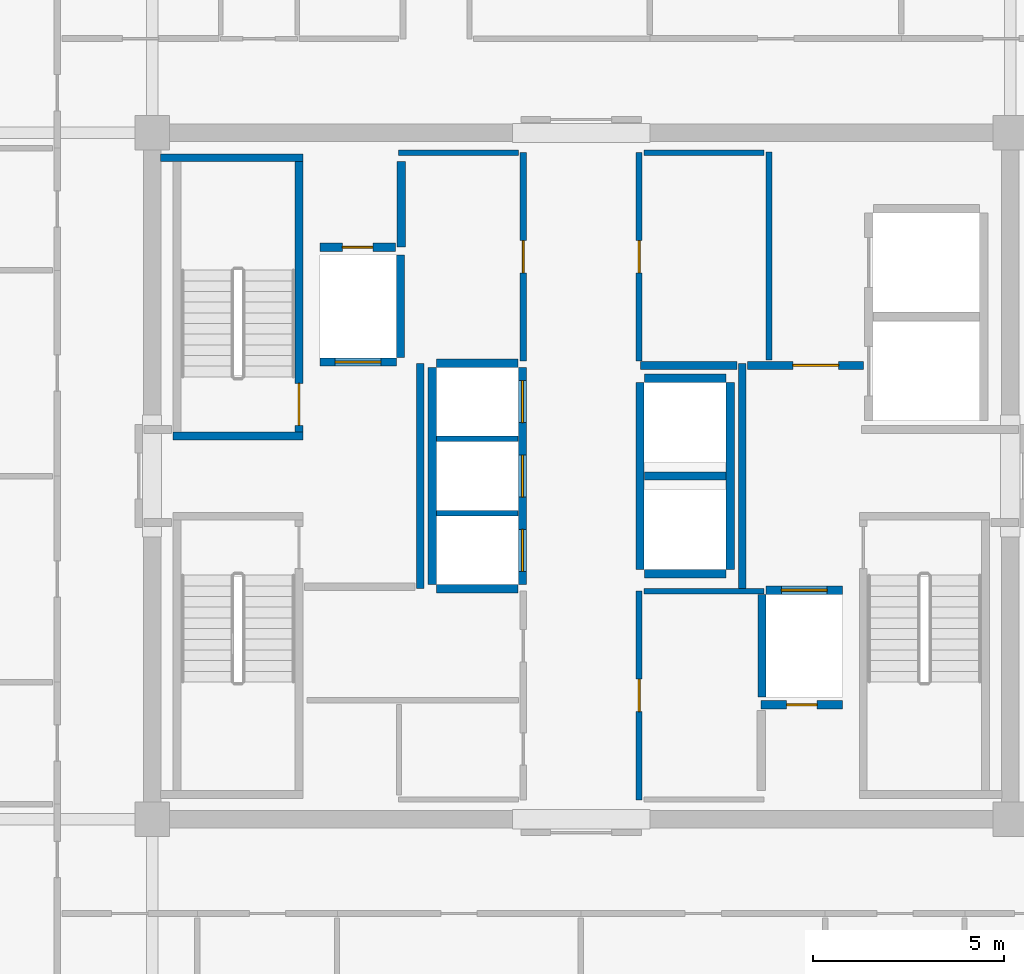
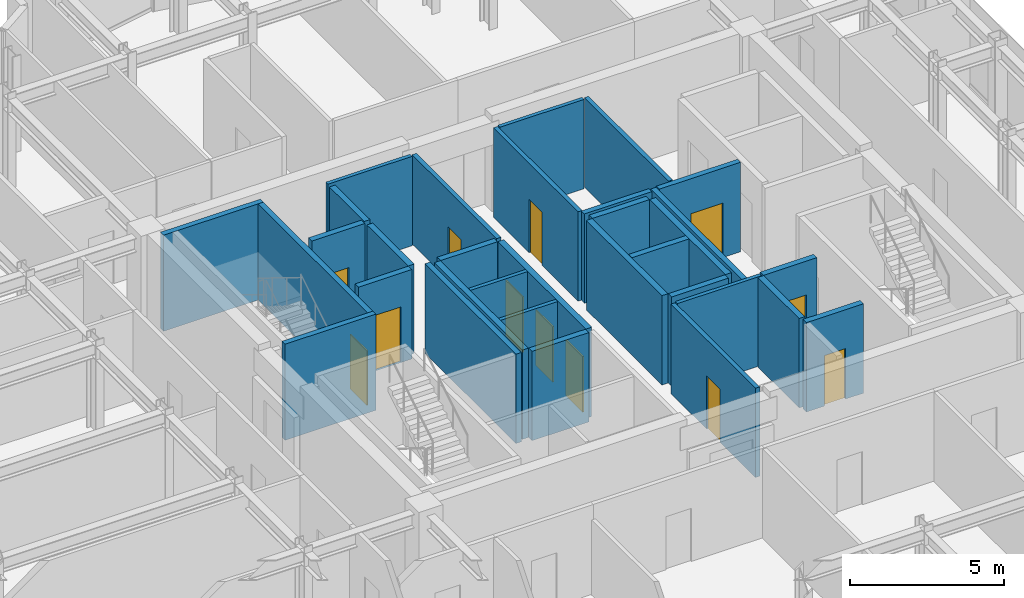
# One storey, part 14 of 18: 32 walls, 12 doors, 12 openings.
"""IFC4 building model written with IfcOpenShell, lengths in metres."""

from ifc_helpers import new_model, si_unit, direction, frame, frame_2d, origin, place, context, subcontext, project, spatial, rectangle, extrude, source, transform, mapped, material, layer, layer_set, type_object, element, fill, save


model = new_model("IFC4")

# Units and contexts
model_context = context("Model", 3, precision=1e-05, world=origin(), true_north=direction((0.0, 1.0)))
body_context = subcontext(model_context, "Body", "Model", "MODEL_VIEW")
ifc_project = project(units=[si_unit("LENGTHUNIT", "METRE"), si_unit("AREAUNIT", "SQUARE_METRE"), si_unit("VOLUMEUNIT", "CUBIC_METRE"), si_unit("PLANEANGLEUNIT", "RADIAN"), si_unit("MASSUNIT", "GRAM", prefix="KILO")], contexts=[model_context])

# Site, building, storey
site_placement = place(None, origin())
site = spatial("IfcSite", under=ifc_project, at=site_placement, CompositionType="ELEMENT")
building_placement = place(site_placement, origin())
building = spatial("IfcBuilding", under=site, at=building_placement, Name="Nefas-Gora Pilgrimage Tower", CompositionType="ELEMENT")
storey_placement = place(building_placement, frame((0.0, 0.0, 302.60009765625)))
storey = spatial("IfcBuildingStorey", under=building, at=storey_placement, Name="L76", CompositionType="ELEMENT", Elevation=302.60009765625)

# Wall
ifc_material_1 = material(Name="Concrete C45/55", Category="concrete")
ifc_layer_1 = layer(ifc_material_1, 0.199951171875)
ifc_layer_set_1 = layer_set([ifc_layer_1], Name="Concrete C45/55")
wall_type_1 = type_object("IfcWallType", Name="IW-STAIR-200", PredefinedType="SOLIDWALL", material=ifc_layer_set_1)
shared_shape_1 = source(origin(), body_context, "Body", "SweptSolid", [
    extrude(rectangle(XDim=3.39990234375, YDim=0.199951171875, at=frame_2d((1.699951171875, 0.0))), origin(), (0.0, 0.0, 1.0), 3.7998046875),
])
wall_1_placement = place(storey_placement, frame((-7.300048828125, 1.050048828125, 0.0), z_axis=(0.0, 0.0, 1.0), x_axis=(-1.0, 0.0, 0.0)))
element("IfcWall", 1, at=wall_1_placement, inside=storey, type_object=wall_type_1, Name="L76 Stairwell Shear Wall ST-01-near", PredefinedType="SOLIDWALL", context=body_context, shape_type="MappedRepresentation", body=[
    mapped(shared_shape_1, transform((0.0, 0.0, 0.0), x_axis=(1.0, 0.0, 0.0), y_axis=(0.0, 1.0, 0.0), z_axis=(0.0, 0.0, 1.0), scale=1.0)),
])

# Wall, opening, door
shared_shape_2 = source(origin(), body_context, "Body", "SweptSolid", [
    extrude(rectangle(XDim=7.10009765625, YDim=0.199951171875, at=frame_2d((3.550048828125, 0.0))), origin(), (0.0, 0.0, 1.0), 3.7998046875),
])
wall_2_placement = place(storey_placement, frame((-7.39990234375, 1.14990234375, 0.0), z_axis=(0.0, 0.0, 1.0), x_axis=(0.0, 1.0, 0.0)))
wall_2 = element("IfcWall", 2, at=wall_2_placement, inside=storey, type_object=wall_type_1, Name="L76 Stairwell Shear Wall ST-01-left", PredefinedType="SOLIDWALL", context=body_context, shape_type="MappedRepresentation", body=[
    mapped(shared_shape_2, transform((0.0, 0.0, 0.0), x_axis=(1.0, 0.0, 0.0), y_axis=(0.0, 1.0, 0.0), z_axis=(0.0, 0.0, 1.0), scale=1.0)),
])
opening_1_placement = place(wall_2_placement, frame((0.179931640625, 0.0, 0.0)))
opening_1 = element("IfcOpeningElement", 3, at=opening_1_placement, cuts=wall_2, Name="Opening ID-ST1", PredefinedType="OPENING", context=body_context, shape_type="SweptSolid", body=[
    extrude(rectangle(XDim=1.10009765625, YDim=2.14990234375, at=frame_2d((0.550048828125, 1.074951171875))), frame((0.0, 0.10986328125, 0.0), z_axis=(0.0, -1.0, 0.0), x_axis=(1.0, 0.0, 0.0)), (0.0, 0.0, 1.0), 0.219970703125),
])
ifc_material_2 = material(Name="Painted galvanised steel fire stair door", Category="steel")
door_type_1 = type_object("IfcDoorType", Name="DR-INT-STAIR-1100", OperationType="NOTDEFINED", PredefinedType="DOOR", material=ifc_material_2)
shared_shape_3 = source(origin(), body_context, "Body", "SweptSolid", [
    extrude(rectangle(XDim=1.10009765625, YDim=2.14990234375, at=frame_2d((0.550048828125, 1.074951171875))), frame((0.0, 0.02490234375, 0.0), z_axis=(0.0, -1.0, 0.0), x_axis=(1.0, 0.0, 0.0)), (0.0, 0.0, 1.0), 0.050048828125),
])
door_1_placement = place(opening_1_placement, origin())
door_1 = element("IfcDoor", 4, at=door_1_placement, inside=storey, type_object=door_type_1, Name="L76 Protected Exit Stair Door ST-01", OperationType="SINGLE_SWING_RIGHT", OverallHeight=2.14990234375, OverallWidth=1.10009765625, PredefinedType="DOOR", context=body_context, shape_type="MappedRepresentation", body=[
    mapped(shared_shape_3, transform((0.0, 0.0, 0.0), x_axis=(1.0, 0.0, 0.0), y_axis=(0.0, 1.0, 0.0), z_axis=(0.0, 0.0, 1.0), scale=1.0)),
])
fill(opening_1, door_1)

# Wall
shared_shape_4 = source(origin(), body_context, "Body", "SweptSolid", [
    extrude(rectangle(XDim=3.72998046875, YDim=0.199951171875, at=frame_2d((1.864990234375, 0.0))), origin(), (0.0, 0.0, 1.0), 3.7998046875),
])
wall_3_placement = place(storey_placement, frame((-7.300048828125, 8.35009765625, 0.0), z_axis=(0.0, 0.0, 1.0), x_axis=(-1.0, 0.0, 0.0)))
element("IfcWall", 5, at=wall_3_placement, inside=storey, type_object=wall_type_1, Name="L76 Stairwell Shear Wall ST-01-far", PredefinedType="SOLIDWALL", context=body_context, shape_type="MappedRepresentation", body=[
    mapped(shared_shape_4, transform((0.0, 0.0, 0.0), x_axis=(1.0, 0.0, 0.0), y_axis=(0.0, 1.0, 0.0), z_axis=(0.0, 0.0, 1.0), scale=1.0)),
])

# Wall, opening, door
ifc_material_3 = material(Name="Concrete C40/50", Category="concrete")
ifc_layer_2 = layer(ifc_material_3, 0.219970703125)
ifc_layer_set_2 = layer_set([ifc_layer_2], Name="Concrete C40/50")
wall_type_2 = type_object("IfcWallType", Name="IW-SHAFT-220", PredefinedType="SOLIDWALL", material=ifc_layer_set_2)
shared_shape_5 = source(origin(), body_context, "Body", "SweptSolid", [
    extrude(rectangle(XDim=2.0, YDim=0.219970703125, at=frame_2d((1.0, 0.0))), origin(), (0.0, 0.0, 1.0), 3.534912109375),
])
wall_4_placement = place(storey_placement, frame((-6.85009765625, 2.989990234375, 0.0), z_axis=(0.0, 0.0, 1.0), x_axis=(1.0, 0.0, 0.0)))
wall_4 = element("IfcWall", 6, at=wall_4_placement, inside=storey, type_object=wall_type_2, Name="L76 Hoistway Wall FFL-01-S", PredefinedType="SOLIDWALL", context=body_context, shape_type="MappedRepresentation", body=[
    mapped(shared_shape_5, transform((0.0, 0.0, 0.0), x_axis=(1.0, 0.0, 0.0), y_axis=(0.0, 1.0, 0.0), z_axis=(0.0, 0.0, 1.0), scale=1.0)),
])
opening_2_placement = place(wall_4_placement, frame((0.39990234375, 0.0, 0.0)))
opening_2 = element("IfcOpeningElement", 7, at=opening_2_placement, cuts=wall_4, Name="Opening LD-FF", PredefinedType="OPENING", context=body_context, shape_type="SweptSolid", body=[
    extrude(rectangle(XDim=1.199951171875, YDim=2.199951171875, at=frame_2d((0.60009765625, 1.10009765625))), frame((0.0, 0.119873046875, 0.0), z_axis=(0.0, -1.0, 0.0), x_axis=(1.0, 0.0, 0.0)), (0.0, 0.0, 1.0), 0.239990234375),
])
ifc_material_4 = material(Name="Fire-service sliding lift landing door")
door_type_2 = type_object("IfcDoorType", Name="DR-LIFT-FSAE-1200", OperationType="SLIDING_TO_LEFT", PredefinedType="DOOR", material=ifc_material_4)
shared_shape_6 = source(origin(), body_context, "Body", "SweptSolid", [
    extrude(rectangle(XDim=1.199951171875, YDim=2.199951171875, at=frame_2d((0.60009765625, 1.10009765625))), frame((0.0, 0.02490234375, 0.0), z_axis=(0.0, -1.0, 0.0), x_axis=(1.0, 0.0, 0.0)), (0.0, 0.0, 1.0), 0.050048828125),
])
door_2_placement = place(opening_2_placement, origin())
door_2 = element("IfcDoor", 8, at=door_2_placement, inside=storey, type_object=door_type_2, Name="L76 Sliding Lift Landing Door FFL-01", OperationType="SLIDING_TO_LEFT", OverallHeight=2.199951171875, OverallWidth=1.199951171875, PredefinedType="DOOR", context=body_context, shape_type="MappedRepresentation", body=[
    mapped(shared_shape_6, transform((0.0, 0.0, 0.0), x_axis=(1.0, 0.0, 0.0), y_axis=(0.0, 1.0, 0.0), z_axis=(0.0, 0.0, 1.0), scale=1.0)),
])
fill(opening_2, door_2)

wall_5_placement = place(storey_placement, frame((6.85009765625, -2.989990234375, 0.0), z_axis=(0.0, 0.0, 1.0), x_axis=(-1.0, 0.0, 0.0)))
wall_5 = element("IfcWall", 9, at=wall_5_placement, inside=storey, type_object=wall_type_2, Name="L76 Hoistway Wall FFL-02-N", PredefinedType="SOLIDWALL", context=body_context, shape_type="MappedRepresentation", body=[
    mapped(shared_shape_5, transform((0.0, 0.0, 0.0), x_axis=(1.0, 0.0, 0.0), y_axis=(0.0, 1.0, 0.0), z_axis=(0.0, 0.0, 1.0), scale=1.0)),
])
opening_3_placement = place(wall_5_placement, frame((0.39990234375, 0.0, 0.0)))
opening_3 = element("IfcOpeningElement", 10, at=opening_3_placement, cuts=wall_5, Name="Opening LD-FF", PredefinedType="OPENING", context=body_context, shape_type="SweptSolid", body=[
    extrude(rectangle(XDim=1.199951171875, YDim=2.199951171875, at=frame_2d((0.60009765625, 1.10009765625))), frame((0.0, 0.119873046875, 0.0), z_axis=(0.0, -1.0, 0.0), x_axis=(1.0, 0.0, 0.0)), (0.0, 0.0, 1.0), 0.239990234375),
])
door_3_placement = place(opening_3_placement, origin())
door_3 = element("IfcDoor", 11, at=door_3_placement, inside=storey, type_object=door_type_2, Name="L76 Sliding Lift Landing Door FFL-02", OperationType="SLIDING_TO_LEFT", OverallHeight=2.199951171875, OverallWidth=1.199951171875, PredefinedType="DOOR", context=body_context, shape_type="MappedRepresentation", body=[
    mapped(shared_shape_6, transform((0.0, 0.0, 0.0), x_axis=(1.0, 0.0, 0.0), y_axis=(0.0, 1.0, 0.0), z_axis=(0.0, 0.0, 1.0), scale=1.0)),
])
fill(opening_3, door_3)

# Walls
shared_shape_7 = source(origin(), body_context, "Body", "SweptSolid", [
    extrude(rectangle(XDim=2.679931640625, YDim=0.219970703125, at=frame_2d((1.33984375, 0.0))), origin(), (0.0, 0.0, 1.0), 3.534912109375),
])
for number, where, z_axis, x_axis, name in (
    (12, (-4.739990234375, 3.110107421875, 0.0), (0.0, 0.0, 1.0), (0.0, 1.0, 0.0), "L76 Hoistway Wall FFL-01-E"),
    (13, (4.739990234375, -3.110107421875, 0.0), (0.0, 0.0, 1.0), (0.0, -1.0, 0.0), "L76 Hoistway Wall FFL-02-W"),
):
    element("IfcWall", number, at=place(storey_placement, frame(where, z_axis=z_axis, x_axis=x_axis)), inside=storey, type_object=wall_type_2, Name=name, PredefinedType="SOLIDWALL", context=body_context, shape_type="MappedRepresentation", body=[
        mapped(shared_shape_7, transform((0.0, 0.0, 0.0), x_axis=(1.0, 0.0, 0.0), y_axis=(0.0, 1.0, 0.0), z_axis=(0.0, 0.0, 1.0), scale=1.0)),
    ])

# Wall, openings, doors
shared_shape_8 = source(origin(), body_context, "Body", "SweptSolid", [
    extrude(rectangle(XDim=5.7001953125, YDim=0.219970703125, at=frame_2d((2.85009765625, 0.0))), origin(), (0.0, 0.0, 1.0), 3.534912109375),
])
wall_6_placement = place(storey_placement, frame((-1.5400390625, -2.85009765625, 0.0), z_axis=(0.0, 0.0, 1.0), x_axis=(0.0, 1.0, 0.0)))
wall_6 = element("IfcWall", 14, at=wall_6_placement, inside=storey, type_object=wall_type_2, Name="L76 Hoistway Wall PL3-01-03-E", PredefinedType="SOLIDWALL", context=body_context, shape_type="MappedRepresentation", body=[
    mapped(shared_shape_8, transform((0.0, 0.0, 0.0), x_axis=(1.0, 0.0, 0.0), y_axis=(0.0, 1.0, 0.0), z_axis=(0.0, 0.0, 1.0), scale=1.0)),
])
opening_4_placement = place(wall_6_placement, frame((0.35009765625, 0.0, 0.0)))
opening_4 = element("IfcOpeningElement", 15, at=opening_4_placement, cuts=wall_6, Name="Opening LD-01", PredefinedType="OPENING", context=body_context, shape_type="SweptSolid", body=[
    extrude(rectangle(XDim=1.10009765625, YDim=2.199951171875, at=frame_2d((0.550048828125, 1.10009765625))), frame((0.0, 0.119873046875, 0.0), z_axis=(0.0, -1.0, 0.0), x_axis=(1.0, 0.0, 0.0)), (0.0, 0.0, 1.0), 0.239990234375),
])
opening_5_placement = place(wall_6_placement, frame((2.300048828125, 0.0, 0.0)))
opening_5 = element("IfcOpeningElement", 16, at=opening_5_placement, cuts=wall_6, Name="Opening LD-01", PredefinedType="OPENING", context=body_context, shape_type="SweptSolid", body=[
    extrude(rectangle(XDim=1.10009765625, YDim=2.199951171875, at=frame_2d((0.550048828125, 1.10009765625))), frame((0.0, 0.119873046875, 0.0), z_axis=(0.0, -1.0, 0.0), x_axis=(1.0, 0.0, 0.0)), (0.0, 0.0, 1.0), 0.239990234375),
])
opening_6_placement = place(wall_6_placement, frame((4.25, 0.0, 0.0)))
opening_6 = element("IfcOpeningElement", 17, at=opening_6_placement, cuts=wall_6, Name="Opening LD-01", PredefinedType="OPENING", context=body_context, shape_type="SweptSolid", body=[
    extrude(rectangle(XDim=1.10009765625, YDim=2.199951171875, at=frame_2d((0.550048828125, 1.10009765625))), frame((0.0, 0.119873046875, 0.0), z_axis=(0.0, -1.0, 0.0), x_axis=(1.0, 0.0, 0.0)), (0.0, 0.0, 1.0), 0.239990234375),
])
ifc_material_5 = material(Name="Brushed stainless sliding lift landing door")
door_type_3 = type_object("IfcDoorType", Name="DR-LIFT-PASS-1100", OperationType="DOUBLE_DOOR_SLIDING", PredefinedType="DOOR", material=ifc_material_5)
shared_shape_9 = source(origin(), body_context, "Body", "SweptSolid", [
    extrude(rectangle(XDim=1.10009765625, YDim=2.199951171875, at=frame_2d((0.550048828125, 1.10009765625))), frame((0.0, 0.02490234375, 0.0), z_axis=(0.0, -1.0, 0.0), x_axis=(1.0, 0.0, 0.0)), (0.0, 0.0, 1.0), 0.050048828125),
])
door_4_placement = place(opening_4_placement, origin())
door_4 = element("IfcDoor", 18, at=door_4_placement, inside=storey, type_object=door_type_3, Name="L76 Sliding Lift Landing Door PL3-01", OperationType="DOUBLE_DOOR_SLIDING", OverallHeight=2.199951171875, OverallWidth=1.10009765625, PredefinedType="DOOR", context=body_context, shape_type="MappedRepresentation", body=[
    mapped(shared_shape_9, transform((0.0, 0.0, 0.0), x_axis=(1.0, 0.0, 0.0), y_axis=(0.0, 1.0, 0.0), z_axis=(0.0, 0.0, 1.0), scale=1.0)),
])
fill(opening_4, door_4)
door_5_placement = place(opening_5_placement, origin())
door_5 = element("IfcDoor", 19, at=door_5_placement, inside=storey, type_object=door_type_3, Name="L76 Sliding Lift Landing Door PL3-02", OperationType="DOUBLE_DOOR_SLIDING", OverallHeight=2.199951171875, OverallWidth=1.10009765625, PredefinedType="DOOR", context=body_context, shape_type="MappedRepresentation", body=[
    mapped(shared_shape_9, transform((0.0, 0.0, 0.0), x_axis=(1.0, 0.0, 0.0), y_axis=(0.0, 1.0, 0.0), z_axis=(0.0, 0.0, 1.0), scale=1.0)),
])
fill(opening_5, door_5)
door_6_placement = place(opening_6_placement, origin())
door_6 = element("IfcDoor", 20, at=door_6_placement, inside=storey, type_object=door_type_3, Name="L76 Sliding Lift Landing Door PL3-03", OperationType="DOUBLE_DOOR_SLIDING", OverallHeight=2.199951171875, OverallWidth=1.10009765625, PredefinedType="DOOR", context=body_context, shape_type="MappedRepresentation", body=[
    mapped(shared_shape_9, transform((0.0, 0.0, 0.0), x_axis=(1.0, 0.0, 0.0), y_axis=(0.0, 1.0, 0.0), z_axis=(0.0, 0.0, 1.0), scale=1.0)),
])
fill(opening_6, door_6)

# Walls
wall_7_placement = place(storey_placement, frame((-3.909912109375, 2.85009765625, 0.0), z_axis=(0.0, 0.0, 1.0), x_axis=(0.0, -1.0, 0.0)))
element("IfcWall", 21, at=wall_7_placement, inside=storey, type_object=wall_type_2, Name="L76 Hoistway Wall PL3-01-03-W", PredefinedType="SOLIDWALL", context=body_context, shape_type="MappedRepresentation", body=[
    mapped(shared_shape_8, transform((0.0, 0.0, 0.0), x_axis=(1.0, 0.0, 0.0), y_axis=(0.0, 1.0, 0.0), z_axis=(0.0, 0.0, 1.0), scale=1.0)),
])
shared_shape_10 = source(origin(), body_context, "Body", "SweptSolid", [
    extrude(rectangle(XDim=2.130126953125, YDim=0.219970703125, at=frame_2d((1.06494140625, 0.0))), origin(), (0.0, 0.0, 1.0), 3.534912109375),
])
for number, where, z_axis, x_axis, name in (
    (22, (-3.7900390625, -2.9599609375, 0.0), (0.0, 0.0, 1.0), (1.0, 0.0, 0.0), "L76 Hoistway Wall PL3-01-S"),
    (23, (-1.659912109375, 2.9599609375, 0.0), (0.0, 0.0, 1.0), (-1.0, 0.0, 0.0), "L76 Hoistway Wall PL3-03-N"),
    (24, (1.659912109375, -2.56005859375, 0.0), (0.0, 0.0, 1.0), (1.0, 0.0, 0.0), "L76 Hoistway Wall OBS-01-S"),
    (25, (1.659912109375, 0.0, 0.0), (0.0, 0.0, 1.0), (1.0, 0.0, 0.0), "L76 Hoistway Wall OBS-01-02-DIV"),
    (26, (3.7900390625, 2.56005859375, 0.0), (0.0, 0.0, 1.0), (-1.0, 0.0, 0.0), "L76 Hoistway Wall OBS-02-N"),
):
    element("IfcWall", number, at=place(storey_placement, frame(where, z_axis=z_axis, x_axis=x_axis)), inside=storey, type_object=wall_type_2, Name=name, PredefinedType="SOLIDWALL", context=body_context, shape_type="MappedRepresentation", body=[
        mapped(shared_shape_10, transform((0.0, 0.0, 0.0), x_axis=(1.0, 0.0, 0.0), y_axis=(0.0, 1.0, 0.0), z_axis=(0.0, 0.0, 1.0), scale=1.0)),
    ])

# Wall, opening, door
wall_8_placement = place(storey_placement, frame((4.719970703125, -6.0, 0.0), z_axis=(0.0, 0.0, 1.0), x_axis=(1.0, 0.0, 0.0)))
wall_8 = element("IfcWall", 27, at=wall_8_placement, inside=storey, type_object=wall_type_2, Name="L76 Riser Shaft Wall 3", PredefinedType="SOLIDWALL", context=body_context, shape_type="MappedRepresentation", body=[
    mapped(shared_shape_10, transform((0.0, 0.0, 0.0), x_axis=(1.0, 0.0, 0.0), y_axis=(0.0, 1.0, 0.0), z_axis=(0.0, 0.0, 1.0), scale=1.0)),
])
opening_7_placement = place(wall_8_placement, frame((0.6650390625, 0.0, 0.0)))
opening_7 = element("IfcOpeningElement", 28, at=opening_7_placement, cuts=wall_8, Name="Opening ID-TR1", PredefinedType="OPENING", context=body_context, shape_type="SweptSolid", body=[
    extrude(rectangle(XDim=0.800048828125, YDim=2.0, at=frame_2d((0.39990234375, 1.0))), frame((0.0, 0.119873046875, 0.0), z_axis=(0.0, -1.0, 0.0), x_axis=(1.0, 0.0, 0.0)), (0.0, 0.0, 1.0), 0.239990234375),
])
ifc_material_6 = material(Name="Riser maintenance fire access door")
door_type_4 = type_object("IfcDoorType", Name="DR-INT-TRAP-800", OperationType="NOTDEFINED", PredefinedType="TRAPDOOR", material=ifc_material_6)
shared_shape_11 = source(origin(), body_context, "Body", "SweptSolid", [
    extrude(rectangle(XDim=0.800048828125, YDim=2.0, at=frame_2d((0.39990234375, 1.0))), frame((0.0, 0.02490234375, 0.0), z_axis=(0.0, -1.0, 0.0), x_axis=(1.0, 0.0, 0.0)), (0.0, 0.0, 1.0), 0.050048828125),
])
door_7_placement = place(opening_7_placement, origin())
door_7 = element("IfcDoor", 29, at=door_7_placement, inside=storey, type_object=door_type_4, Name="L76 Riser Shaft Door 2", OperationType="SINGLE_SWING_LEFT", OverallHeight=2.0, OverallWidth=0.800048828125, PredefinedType="TRAPDOOR", context=body_context, shape_type="MappedRepresentation", body=[
    mapped(shared_shape_11, transform((0.0, 0.0, 0.0), x_axis=(1.0, 0.0, 0.0), y_axis=(0.0, 1.0, 0.0), z_axis=(0.0, 0.0, 1.0), scale=1.0)),
])
fill(opening_7, door_7)

# Walls
ifc_material_7 = material(Name="Gypsum twin-stud partition")
ifc_layer_3 = layer(ifc_material_7, 0.139892578125)
ifc_layer_set_3 = layer_set([ifc_layer_3], Name="Gypsum twin-stud partition")
wall_type_3 = type_object("IfcWallType", Name="IW-UNIT-140", PredefinedType="PARTITIONING", material=ifc_layer_set_3)
shared_shape_12 = source(origin(), body_context, "Body", "SweptSolid", [
    extrude(rectangle(XDim=2.130126953125, YDim=0.139892578125, at=frame_2d((1.06494140625, 0.0))), origin(), (0.0, 0.0, 1.0), 3.534912109375),
])
for number, where, z_axis, x_axis, name in (
    (30, (-3.7900390625, -0.97509765625, 0.0), (0.0, 0.0, 1.0), (1.0, 0.0, 0.0), "L76 Hoistway Wall PL3-01-02-DIV"),
    (31, (-3.7900390625, 0.97509765625, 0.0), (0.0, 0.0, 1.0), (1.0, 0.0, 0.0), "L76 Hoistway Wall PL3-02-03-DIV"),
):
    element("IfcWall", number, at=place(storey_placement, frame(where, z_axis=z_axis, x_axis=x_axis)), inside=storey, type_object=wall_type_3, Name=name, PredefinedType="PARTITIONING", context=body_context, shape_type="MappedRepresentation", body=[
        mapped(shared_shape_12, transform((0.0, 0.0, 0.0), x_axis=(1.0, 0.0, 0.0), y_axis=(0.0, 1.0, 0.0), z_axis=(0.0, 0.0, 1.0), scale=1.0)),
    ])
shared_shape_13 = source(origin(), body_context, "Body", "SweptSolid", [
    extrude(rectangle(XDim=4.89990234375, YDim=0.219970703125, at=frame_2d((2.449951171875, 0.0))), origin(), (0.0, 0.0, 1.0), 3.534912109375),
])
for number, where, z_axis, x_axis, name in (
    (32, (1.5400390625, 2.449951171875, 0.0), (0.0, 0.0, 1.0), (0.0, -1.0, 0.0), "L76 Hoistway Wall OBS-01-02-W"),
    (33, (3.909912109375, -2.449951171875, 0.0), (0.0, 0.0, 1.0), (0.0, 1.0, 0.0), "L76 Hoistway Wall OBS-01-02-E"),
):
    element("IfcWall", number, at=place(storey_placement, frame(where, z_axis=z_axis, x_axis=x_axis)), inside=storey, type_object=wall_type_2, Name=name, PredefinedType="SOLIDWALL", context=body_context, shape_type="MappedRepresentation", body=[
        mapped(shared_shape_13, transform((0.0, 0.0, 0.0), x_axis=(1.0, 0.0, 0.0), y_axis=(0.0, 1.0, 0.0), z_axis=(0.0, 0.0, 1.0), scale=1.0)),
    ])
ifc_material_8 = material(Name="Gypsum fire-rated shaftwall")
ifc_layer_4 = layer(ifc_material_8, 0.199951171875)
ifc_layer_set_4 = layer_set([ifc_layer_4], Name="Gypsum fire-rated shaftwall")
wall_type_4 = type_object("IfcWallType", Name="IW-FFLOB-200", PredefinedType="PARTITIONING", material=ifc_layer_set_4)
shared_shape_14 = source(origin(), body_context, "Body", "SweptSolid", [
    extrude(rectangle(XDim=5.89990234375, YDim=0.199951171875, at=frame_2d((2.949951171875, 0.0))), origin(), (0.0, 0.0, 1.0), 3.534912109375),
])
for number, where, z_axis, x_axis, name in (
    (34, (-4.219970703125, -2.949951171875, 0.0), (0.0, 0.0, 1.0), (0.0, 1.0, 0.0), "L76 FF Lobby West Inner Wall Wall 6"),
    (35, (4.219970703125, -2.949951171875, 0.0), (0.0, 0.0, 1.0), (0.0, 1.0, 0.0), "L76 FF Lobby East Inner Wall Wall 11"),
):
    element("IfcWall", number, at=place(storey_placement, frame(where, z_axis=z_axis, x_axis=x_axis)), inside=storey, type_object=wall_type_4, Name=name, PredefinedType="PARTITIONING", context=body_context, shape_type="MappedRepresentation", body=[
        mapped(shared_shape_14, transform((0.0, 0.0, 0.0), x_axis=(1.0, 0.0, 0.0), y_axis=(0.0, 1.0, 0.0), z_axis=(0.0, 0.0, 1.0), scale=1.0)),
    ])

# Wall, opening, door
shared_shape_15 = source(origin(), body_context, "Body", "SweptSolid", [
    extrude(rectangle(XDim=3.039794921875, YDim=0.199951171875, at=frame_2d((1.52001953125, 0.0))), origin(), (0.0, 0.0, 1.0), 3.534912109375),
])
wall_9_placement = place(storey_placement, frame((4.360107421875, 2.89990234375, 0.0), z_axis=(0.0, 0.0, 1.0), x_axis=(1.0, 0.0, 0.0)))
wall_9 = element("IfcWall", 36, at=wall_9_placement, inside=storey, type_object=wall_type_4, Name="L76 FF Lobby East North Wall Wall 13", PredefinedType="PARTITIONING", context=body_context, shape_type="MappedRepresentation", body=[
    mapped(shared_shape_15, transform((0.0, 0.0, 0.0), x_axis=(1.0, 0.0, 0.0), y_axis=(0.0, 1.0, 0.0), z_axis=(0.0, 0.0, 1.0), scale=1.0)),
])
opening_8_placement = place(wall_9_placement, frame((1.18994140625, 0.0, 0.0)))
opening_8 = element("IfcOpeningElement", 37, at=opening_8_placement, cuts=wall_9, Name="Opening ID-PL1", PredefinedType="OPENING", context=body_context, shape_type="SweptSolid", body=[
    extrude(rectangle(XDim=1.199951171875, YDim=2.14990234375, at=frame_2d((0.60009765625, 1.074951171875))), frame((0.0, 0.10986328125, 0.0), z_axis=(0.0, -1.0, 0.0), x_axis=(1.0, 0.0, 0.0)), (0.0, 0.0, 1.0), 0.219970703125),
])
ifc_material_9 = material(Name="Heavy-duty steel plant room fire door", Category="steel")
door_type_5 = type_object("IfcDoorType", Name="DR-INT-PLANT-1200", OperationType="NOTDEFINED", PredefinedType="DOOR", material=ifc_material_9)
shared_shape_16 = source(origin(), body_context, "Body", "SweptSolid", [
    extrude(rectangle(XDim=1.199951171875, YDim=2.14990234375, at=frame_2d((0.60009765625, 1.074951171875))), frame((0.0, 0.02490234375, 0.0), z_axis=(0.0, -1.0, 0.0), x_axis=(1.0, 0.0, 0.0)), (0.0, 0.0, 1.0), 0.050048828125),
])
door_8_placement = place(opening_8_placement, origin())
door_8 = element("IfcDoor", 38, at=door_8_placement, inside=storey, type_object=door_type_5, Name="L76 Service Lift Lobby Door Door 5", OperationType="SINGLE_SWING_RIGHT", OverallHeight=2.14990234375, OverallWidth=1.199951171875, PredefinedType="DOOR", context=body_context, shape_type="MappedRepresentation", body=[
    mapped(shared_shape_16, transform((0.0, 0.0, 0.0), x_axis=(1.0, 0.0, 0.0), y_axis=(0.0, 1.0, 0.0), z_axis=(0.0, 0.0, 1.0), scale=1.0)),
])
fill(opening_8, door_8)

# Walls
shared_shape_17 = source(origin(), body_context, "Body", "SweptSolid", [
    extrude(rectangle(XDim=3.150146484375, YDim=0.139892578125, at=frame_2d((1.5751953125, 0.0))), origin(), (0.0, 0.0, 1.0), 3.534912109375),
])
for number, where, z_axis, x_axis, name in (
    (39, (-4.7900390625, 8.47998046875, 0.0), (0.0, 0.0, 1.0), (1.0, 0.0, 0.0), "L76 Housekeeping and Linen Store Partition Wall 24"),
    (40, (1.639892578125, 8.47998046875, 0.0), (0.0, 0.0, 1.0), (1.0, 0.0, 0.0), "L76 Freed Bank-1 Amenity Supply Store Partition Wall 28"),
    (41, (1.639892578125, -3.02001953125, 0.0), (0.0, 0.0, 1.0), (1.0, 0.0, 0.0), "L76 Freed Bank-2 East Linen Store Partition Wall 32"),
):
    element("IfcWall", number, at=place(storey_placement, frame(where, z_axis=z_axis, x_axis=x_axis)), inside=storey, type_object=wall_type_3, Name=name, PredefinedType="PARTITIONING", context=body_context, shape_type="MappedRepresentation", body=[
        mapped(shared_shape_17, transform((0.0, 0.0, 0.0), x_axis=(1.0, 0.0, 0.0), y_axis=(0.0, 1.0, 0.0), z_axis=(0.0, 0.0, 1.0), scale=1.0)),
    ])
shared_shape_18 = source(origin(), body_context, "Body", "SweptSolid", [
    extrude(rectangle(XDim=2.25, YDim=0.219970703125, at=frame_2d((1.125, 0.0))), origin(), (0.0, 0.0, 1.0), 3.534912109375),
])
wall_10_placement = place(storey_placement, frame((-4.719970703125, 6.0, 0.0), z_axis=(0.0, 0.0, 1.0), x_axis=(0.0, 1.0, 0.0)))
element("IfcWall", 42, at=wall_10_placement, inside=storey, type_object=wall_type_2, Name="L76 Riser Shaft Wall 1", PredefinedType="SOLIDWALL", context=body_context, shape_type="MappedRepresentation", body=[
    mapped(shared_shape_18, transform((0.0, 0.0, 0.0), x_axis=(1.0, 0.0, 0.0), y_axis=(0.0, 1.0, 0.0), z_axis=(0.0, 0.0, 1.0), scale=1.0)),
])

# Wall, opening, door
shared_shape_19 = source(origin(), body_context, "Body", "SweptSolid", [
    extrude(rectangle(XDim=1.97998046875, YDim=0.219970703125, at=frame_2d((0.989990234375, 0.0))), origin(), (0.0, 0.0, 1.0), 3.534912109375),
])
wall_11_placement = place(storey_placement, frame((-6.85009765625, 6.0, 0.0), z_axis=(0.0, 0.0, 1.0), x_axis=(1.0, 0.0, 0.0)))
wall_11 = element("IfcWall", 43, at=wall_11_placement, inside=storey, type_object=wall_type_2, Name="L76 Riser Shaft Wall 2", PredefinedType="SOLIDWALL", context=body_context, shape_type="MappedRepresentation", body=[
    mapped(shared_shape_19, transform((0.0, 0.0, 0.0), x_axis=(1.0, 0.0, 0.0), y_axis=(0.0, 1.0, 0.0), z_axis=(0.0, 0.0, 1.0), scale=1.0)),
])
opening_9_placement = place(wall_11_placement, frame((0.590087890625, 0.0, 0.0)))
opening_9 = element("IfcOpeningElement", 44, at=opening_9_placement, cuts=wall_11, Name="Opening ID-TR1", PredefinedType="OPENING", context=body_context, shape_type="SweptSolid", body=[
    extrude(rectangle(XDim=0.800048828125, YDim=2.0, at=frame_2d((0.39990234375, 1.0))), frame((0.0, 0.119873046875, 0.0), z_axis=(0.0, -1.0, 0.0), x_axis=(1.0, 0.0, 0.0)), (0.0, 0.0, 1.0), 0.239990234375),
])
door_9_placement = place(opening_9_placement, origin())
door_9 = element("IfcDoor", 45, at=door_9_placement, inside=storey, type_object=door_type_4, Name="L76 Riser Shaft Door 1", OperationType="SINGLE_SWING_RIGHT", OverallHeight=2.0, OverallWidth=0.800048828125, PredefinedType="TRAPDOOR", context=body_context, shape_type="MappedRepresentation", body=[
    mapped(shared_shape_11, transform((0.0, 0.0, 0.0), x_axis=(1.0, 0.0, 0.0), y_axis=(0.0, 1.0, 0.0), z_axis=(0.0, 0.0, 1.0), scale=1.0)),
])
fill(opening_9, door_9)

# Walls
shared_shape_20 = source(origin(), body_context, "Body", "SweptSolid", [
    extrude(rectangle(XDim=2.52001953125, YDim=0.199951171875, at=frame_2d((1.260009765625, 0.0))), origin(), (0.0, 0.0, 1.0), 3.534912109375),
])
wall_12_placement = place(storey_placement, frame((1.56005859375, 2.89990234375, 0.0), z_axis=(0.0, 0.0, 1.0), x_axis=(1.0, 0.0, 0.0)))
element("IfcWall", 46, at=wall_12_placement, inside=storey, type_object=wall_type_4, Name="L76 FF Lobby East North Wall Wall 12", PredefinedType="PARTITIONING", context=body_context, shape_type="MappedRepresentation", body=[
    mapped(shared_shape_20, transform((0.0, 0.0, 0.0), x_axis=(1.0, 0.0, 0.0), y_axis=(0.0, 1.0, 0.0), z_axis=(0.0, 0.0, 1.0), scale=1.0)),
])
ifc_material_10 = material(Name="Gypsum acoustic stud partition")
ifc_layer_5 = layer(ifc_material_10, 0.159912109375)
ifc_layer_set_5 = layer_set([ifc_layer_5], Name="Gypsum acoustic stud partition")
wall_type_5 = type_object("IfcWallType", Name="IW-CORR-160", PredefinedType="PARTITIONING", material=ifc_layer_set_5)
shared_shape_21 = source(origin(), body_context, "Body", "SweptSolid", [
    extrude(rectangle(XDim=5.449951171875, YDim=0.159912109375, at=frame_2d((2.72509765625, 0.0))), origin(), (0.0, 0.0, 1.0), 3.534912109375),
])
wall_13_placement = place(storey_placement, frame((4.919921875, 3.0400390625, 0.0), z_axis=(0.0, 0.0, 1.0), x_axis=(0.0, 1.0, 0.0)))
element("IfcWall", 47, at=wall_13_placement, inside=storey, type_object=wall_type_5, Name="L76 Service Lift Lobby West Wall Wall 18", PredefinedType="PARTITIONING", context=body_context, shape_type="MappedRepresentation", body=[
    mapped(shared_shape_21, transform((0.0, 0.0, 0.0), x_axis=(1.0, 0.0, 0.0), y_axis=(0.0, 1.0, 0.0), z_axis=(0.0, 0.0, 1.0), scale=1.0)),
])

# Wall, opening, door
shared_shape_22 = source(origin(), body_context, "Body", "SweptSolid", [
    extrude(rectangle(XDim=5.47998046875, YDim=0.159912109375, at=frame_2d((2.739990234375, 0.0))), origin(), (0.0, 0.0, 1.0), 3.534912109375),
])
wall_14_placement = place(storey_placement, frame((-1.52001953125, 3.010009765625, 0.0), z_axis=(0.0, 0.0, 1.0), x_axis=(0.0, 1.0, 0.0)))
wall_14 = element("IfcWall", 48, at=wall_14_placement, inside=storey, type_object=wall_type_5, Name="L76 Housekeeping and Linen Store Wall 23", PredefinedType="PARTITIONING", context=body_context, shape_type="MappedRepresentation", body=[
    mapped(shared_shape_22, transform((0.0, 0.0, 0.0), x_axis=(1.0, 0.0, 0.0), y_axis=(0.0, 1.0, 0.0), z_axis=(0.0, 0.0, 1.0), scale=1.0)),
])
opening_10_placement = place(wall_14_placement, frame((2.31494140625, 0.0, 0.0)))
opening_10 = element("IfcOpeningElement", 49, at=opening_10_placement, cuts=wall_14, Name="Opening ID-BT1", PredefinedType="OPENING", context=body_context, shape_type="SweptSolid", body=[
    extrude(rectangle(XDim=0.85009765625, YDim=2.10009765625, at=frame_2d((0.425048828125, 1.050048828125))), frame((0.0, 0.08984375, 0.0), z_axis=(0.0, -1.0, 0.0), x_axis=(1.0, 0.0, 0.0)), (0.0, 0.0, 1.0), 0.179931640625),
])
ifc_material_11 = material(Name="Moisture-resistant fire-rated timber door", Category="wood")
door_type_6 = type_object("IfcDoorType", Name="DR-INT-BATH-850", OperationType="NOTDEFINED", PredefinedType="DOOR", material=ifc_material_11)
shared_shape_23 = source(origin(), body_context, "Body", "SweptSolid", [
    extrude(rectangle(XDim=0.85009765625, YDim=2.10009765625, at=frame_2d((0.425048828125, 1.050048828125))), frame((0.0, 0.02490234375, 0.0), z_axis=(0.0, -1.0, 0.0), x_axis=(1.0, 0.0, 0.0)), (0.0, 0.0, 1.0), 0.050048828125),
])
door_10_placement = place(opening_10_placement, origin())
door_10 = element("IfcDoor", 50, at=door_10_placement, inside=storey, type_object=door_type_6, Name="L76 Housekeeping and Linen Store Door 9", OperationType="SINGLE_SWING_RIGHT", OverallHeight=2.10009765625, OverallWidth=0.85009765625, PredefinedType="DOOR", context=body_context, shape_type="MappedRepresentation", body=[
    mapped(shared_shape_23, transform((0.0, 0.0, 0.0), x_axis=(1.0, 0.0, 0.0), y_axis=(0.0, 1.0, 0.0), z_axis=(0.0, 0.0, 1.0), scale=1.0)),
])
fill(opening_10, door_10)

wall_15_placement = place(storey_placement, frame((1.52001953125, 3.010009765625, 0.0), z_axis=(0.0, 0.0, 1.0), x_axis=(0.0, 1.0, 0.0)))
wall_15 = element("IfcWall", 51, at=wall_15_placement, inside=storey, type_object=wall_type_5, Name="L76 Freed Bank-1 Amenity Supply Store Wall 27", PredefinedType="PARTITIONING", context=body_context, shape_type="MappedRepresentation", body=[
    mapped(shared_shape_22, transform((0.0, 0.0, 0.0), x_axis=(1.0, 0.0, 0.0), y_axis=(0.0, 1.0, 0.0), z_axis=(0.0, 0.0, 1.0), scale=1.0)),
])
opening_11_placement = place(wall_15_placement, frame((2.31494140625, 0.0, 0.0)))
opening_11 = element("IfcOpeningElement", 52, at=opening_11_placement, cuts=wall_15, Name="Opening ID-BT1", PredefinedType="OPENING", context=body_context, shape_type="SweptSolid", body=[
    extrude(rectangle(XDim=0.85009765625, YDim=2.10009765625, at=frame_2d((0.425048828125, 1.050048828125))), frame((0.0, 0.08984375, 0.0), z_axis=(0.0, -1.0, 0.0), x_axis=(1.0, 0.0, 0.0)), (0.0, 0.0, 1.0), 0.179931640625),
])
door_11_placement = place(opening_11_placement, origin())
door_11 = element("IfcDoor", 53, at=door_11_placement, inside=storey, type_object=door_type_6, Name="L76 Freed Bank-1 Amenity Supply Store Door 12", OperationType="SINGLE_SWING_LEFT", OverallHeight=2.10009765625, OverallWidth=0.85009765625, PredefinedType="DOOR", context=body_context, shape_type="MappedRepresentation", body=[
    mapped(shared_shape_23, transform((0.0, 0.0, 0.0), x_axis=(1.0, 0.0, 0.0), y_axis=(0.0, 1.0, 0.0), z_axis=(0.0, 0.0, 1.0), scale=1.0)),
])
fill(opening_11, door_11)

wall_16_placement = place(storey_placement, frame((1.52001953125, -8.489990234375, 0.0), z_axis=(0.0, 0.0, 1.0), x_axis=(0.0, 1.0, 0.0)))
wall_16 = element("IfcWall", 54, at=wall_16_placement, inside=storey, type_object=wall_type_5, Name="L76 Freed Bank-2 East Linen Store Wall 31", PredefinedType="PARTITIONING", context=body_context, shape_type="MappedRepresentation", body=[
    mapped(shared_shape_22, transform((0.0, 0.0, 0.0), x_axis=(1.0, 0.0, 0.0), y_axis=(0.0, 1.0, 0.0), z_axis=(0.0, 0.0, 1.0), scale=1.0)),
])
opening_12_placement = place(wall_16_placement, frame((2.31494140625, 0.0, 0.0)))
opening_12 = element("IfcOpeningElement", 55, at=opening_12_placement, cuts=wall_16, Name="Opening ID-BT1", PredefinedType="OPENING", context=body_context, shape_type="SweptSolid", body=[
    extrude(rectangle(XDim=0.85009765625, YDim=2.10009765625, at=frame_2d((0.425048828125, 1.050048828125))), frame((0.0, 0.08984375, 0.0), z_axis=(0.0, -1.0, 0.0), x_axis=(1.0, 0.0, 0.0)), (0.0, 0.0, 1.0), 0.179931640625),
])
door_12_placement = place(opening_12_placement, origin())
door_12 = element("IfcDoor", 56, at=door_12_placement, inside=storey, type_object=door_type_6, Name="L76 Freed Bank-2 East Linen Store Door 13", OperationType="SINGLE_SWING_RIGHT", OverallHeight=2.10009765625, OverallWidth=0.85009765625, PredefinedType="DOOR", context=body_context, shape_type="MappedRepresentation", body=[
    mapped(shared_shape_23, transform((0.0, 0.0, 0.0), x_axis=(1.0, 0.0, 0.0), y_axis=(0.0, 1.0, 0.0), z_axis=(0.0, 0.0, 1.0), scale=1.0)),
])
fill(opening_12, door_12)

save(model, "model.ifc")
